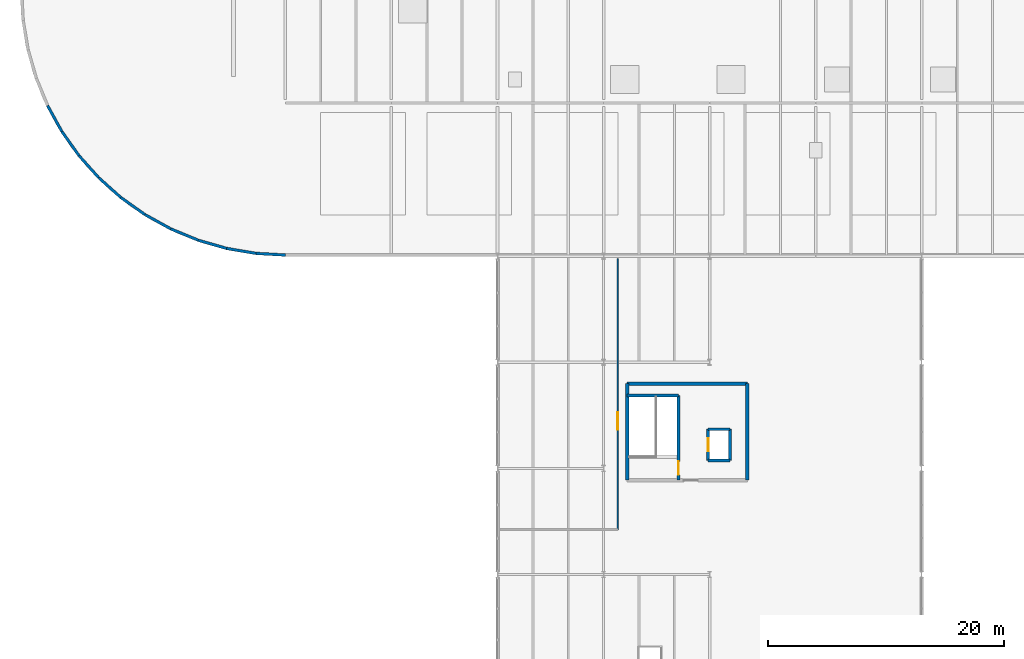
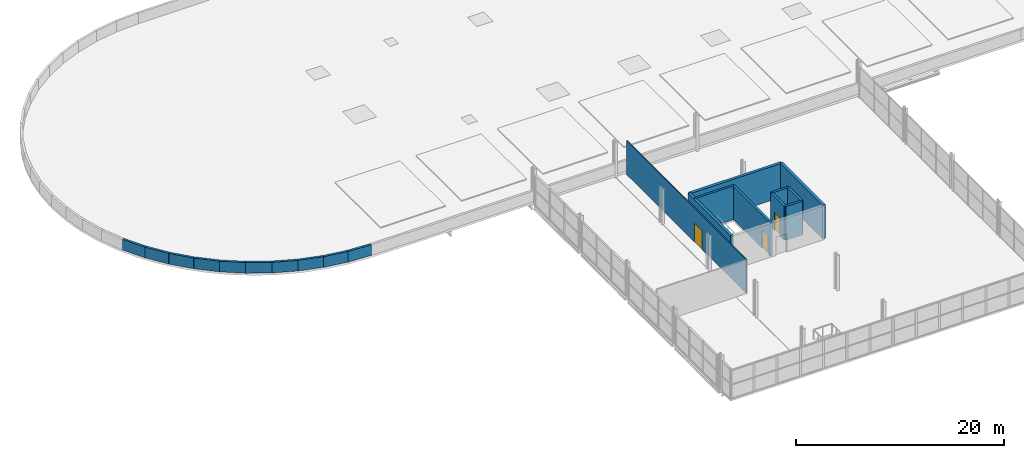
# One storey, part 54 of 59: 20 walls, 3 doors, 3 openings.
"""IFC4 building model written with IfcOpenShell, lengths in metres."""

from ifc_helpers import new_model, si_unit, direction, frame, frame_2d, origin, place, context, subcontext, project, spatial, rectangle, extrude, material, layer, layer_set, type_object, element, fill, save


model = new_model("IFC4")

# Units and contexts
model_context = context("Model", 3, precision=1e-05, world=origin(), true_north=direction((0.0, 1.0)))
body_context = subcontext(model_context, "Body", "Model", "MODEL_VIEW")
ifc_project = project(units=[si_unit("LENGTHUNIT", "METRE"), si_unit("AREAUNIT", "SQUARE_METRE"), si_unit("VOLUMEUNIT", "CUBIC_METRE"), si_unit("PLANEANGLEUNIT", "RADIAN"), si_unit("MASSUNIT", "GRAM", prefix="KILO")], contexts=[model_context])

# Site, building, storey
site_placement = place(None, origin())
site = spatial("IfcSite", under=ifc_project, at=site_placement, CompositionType="ELEMENT")
building_placement = place(site_placement, origin())
building = spatial("IfcBuilding", under=site, at=building_placement, Name="Deido Ridge Mobility Hub", CompositionType="ELEMENT")
storey_placement = place(building_placement, frame((0.0, 0.0, 21.0)))
storey = spatial("IfcBuildingStorey", under=building, at=storey_placement, Name="L05", CompositionType="ELEMENT", Elevation=21.0)

# Wall, opening, door
ifc_material_1 = material(Name="Treated tropical hardwood timber D40", Category="wood")
ifc_layer_1 = layer(ifc_material_1, 0.114990234375, Name="Treated tropical hardwood timber D40")
ifc_layer_set_1 = layer_set([ifc_layer_1], Name="Treated tropical hardwood timber D40")
wall_type_1 = type_object("IfcWallType", Name="WL-MOV-ACO-115", PredefinedType="MOVABLE", material=ifc_layer_set_1)
wall_1_placement = place(storey_placement, frame((73.199951171875, 57.800048828125, 0.0), z_axis=(0.0, 0.0, 1.0), x_axis=(0.0, 1.0, 0.0)))
wall_1 = element("IfcWall", 1, at=wall_1_placement, inside=storey, type_object=wall_type_1, Name="Fitness studio partition L05", PredefinedType="MOVABLE", context=body_context, shape_type="SweptSolid", body=[
    extrude(rectangle(XDim=23.0, YDim=0.114990234375, at=frame_2d((11.5, 0.0))), origin(), (0.0, 0.0, 1.0), 3.9599609375),
])
opening_1_placement = place(wall_1_placement, frame((8.5, 0.0, 0.0)))
opening_1 = element("IfcOpeningElement", 2, at=opening_1_placement, cuts=wall_1, Name="Opening DR-L05-219", PredefinedType="OPENING", context=body_context, shape_type="SweptSolid", body=[
    extrude(rectangle(XDim=1.449951171875, YDim=2.219970703125, at=frame_2d((0.72509765625, 1.10986328125))), frame((0.0, 0.0673828125, 0.0), z_axis=(0.0, -1.0, 0.0), x_axis=(1.0, 0.0, 0.0)), (0.0, 0.0, 1.0), 0.135009765625),
])
door_type_1 = type_object("IfcDoorType", Name="DR-INT-1450X2220", OperationType="DOUBLE_DOOR_SINGLE_SWING", PredefinedType="DOOR", material=ifc_material_1)
door_1_placement = place(opening_1_placement, origin())
door_1 = element("IfcDoor", 3, at=door_1_placement, inside=storey, type_object=door_type_1, Name="DR-I0219 Fitness studio double door", OperationType="DOUBLE_DOOR_SINGLE_SWING", OverallHeight=2.219970703125, OverallWidth=1.449951171875, PredefinedType="DOOR", context=body_context, shape_type="SweptSolid", body=[
    extrude(rectangle(XDim=1.449951171875, YDim=2.219970703125, at=frame_2d((0.72509765625, 1.10986328125))), frame((0.0, 0.02490234375, 0.0), z_axis=(0.0, -1.0, 0.0), x_axis=(1.0, 0.0, 0.0)), (0.0, 0.0, 1.0), 0.050048828125),
])
fill(opening_1, door_1)

# Walls
ifc_material_2 = material(Name="Fired clay brick masonry", Category="masonry")
ifc_layer_2 = layer(ifc_material_2, 0.235107421875, Name="Fired clay brick masonry")
ifc_layer_set_2 = layer_set([ifc_layer_2], Name="Fired clay brick masonry")
wall_type_2 = type_object("IfcWallType", Name="WL-PAR-BRK-235", PredefinedType="PARAPET", material=ifc_layer_set_2)
wall_2_placement = place(storey_placement, frame((24.820556640625, 93.781982421875, 0.2451171875), z_axis=(0.0, 0.0, 1.0), x_axis=(0.483693949982, -0.875237203706, 0.0)))
element("IfcWall", 4, at=wall_2_placement, inside=storey, type_object=wall_type_2, Name="Curved brickwork roof parapet PP1", PredefinedType="PARAPET", context=body_context, shape_type="SweptSolid", body=[
    extrude(rectangle(XDim=2.511474609375, YDim=0.235107421875, at=frame_2d((1.255859375, 0.0))), origin(), (0.0, 0.0, 1.0), 1.25),
])
for number, where, z_axis, x_axis, name in (
    (5, (26.035400390625, 91.583740234375, 0.2451171875), (0.0, 0.0, 1.0), (0.578734494193, -0.815516023896, 0.0), "Curved brickwork roof parapet PP1"),
    (6, (27.489013671875, 89.535400390625, 0.2451171875), (0.0, 0.0, 1.0), (0.666334433255, -0.74565301787, 0.0), "Curved brickwork roof parapet PP1"),
    (7, (29.16259765625, 87.66259765625, 0.2451171875), (0.0, 0.0, 1.0), (0.74565301787, -0.666334433255, 0.0), "Curved brickwork roof parapet PP1"),
    (8, (31.035400390625, 85.989013671875, 0.2451171875), (0.0, 0.0, 1.0), (0.815516023896, -0.578734494193, 0.0), "Curved brickwork roof parapet PP1"),
):
    element("IfcWall", number, at=place(storey_placement, frame(where, z_axis=z_axis, x_axis=x_axis)), inside=storey, type_object=wall_type_2, Name=name, PredefinedType="PARAPET", context=body_context, shape_type="SweptSolid", body=[
        extrude(rectangle(XDim=2.51171875, YDim=0.235107421875, at=frame_2d((1.255859375, 0.0))), origin(), (0.0, 0.0, 1.0), 1.25),
    ])
wall_3_placement = place(storey_placement, frame((33.083740234375, 84.535400390625, 0.2451171875), z_axis=(0.0, 0.0, 1.0), x_axis=(0.875237203706, -0.483693949982, 0.0)))
element("IfcWall", 9, at=wall_3_placement, inside=storey, type_object=wall_type_2, Name="Curved brickwork roof parapet PP1", PredefinedType="PARAPET", context=body_context, shape_type="SweptSolid", body=[
    extrude(rectangle(XDim=2.511474609375, YDim=0.235107421875, at=frame_2d((1.255859375, 0.0))), origin(), (0.0, 0.0, 1.0), 1.25),
])
for number, where, z_axis, x_axis, name in (
    (10, (35.281982421875, 83.320556640625, 0.2451171875), (0.0, 0.0, 1.0), (0.923882965921, -0.382675143275, 0.0), "Curved brickwork roof parapet PP1"),
    (11, (37.6025390625, 82.359375, 0.2451171875), (0.0, 0.0, 1.0), (0.960920102427, -0.276825859975, 0.0), "Curved brickwork roof parapet PP1"),
):
    element("IfcWall", number, at=place(storey_placement, frame(where, z_axis=z_axis, x_axis=x_axis)), inside=storey, type_object=wall_type_2, Name=name, PredefinedType="PARAPET", context=body_context, shape_type="SweptSolid", body=[
        extrude(rectangle(XDim=2.51171875, YDim=0.235107421875, at=frame_2d((1.255859375, 0.0))), origin(), (0.0, 0.0, 1.0), 1.25),
    ])
wall_4_placement = place(storey_placement, frame((40.01611328125, 81.6640625, 0.2451171875), z_axis=(0.0, 0.0, 1.0), x_axis=(0.985874150371, -0.167487789498, 0.0)))
element("IfcWall", 12, at=wall_4_placement, inside=storey, type_object=wall_type_2, Name="Curved brickwork roof parapet PP1", PredefinedType="PARAPET", context=body_context, shape_type="SweptSolid", body=[
    extrude(rectangle(XDim=2.511474609375, YDim=0.235107421875, at=frame_2d((1.255859375, 0.0))), origin(), (0.0, 0.0, 1.0), 1.25),
])
wall_5_placement = place(storey_placement, frame((42.4921875, 81.243408203125, 0.2451171875), z_axis=(0.0, 0.0, 1.0), x_axis=(0.998426070254, -0.056083707412, 0.0)))
element("IfcWall", 13, at=wall_5_placement, inside=storey, type_object=wall_type_2, Name="Curved brickwork roof parapet PP1", PredefinedType="PARAPET", context=body_context, shape_type="SweptSolid", body=[
    extrude(rectangle(XDim=2.51171875, YDim=0.235107421875, at=frame_2d((1.255859375, 0.0))), origin(), (0.0, 0.0, 1.0), 1.25),
])

# Wall, opening, door
ifc_material_3 = material(Name="Concrete C40/50", Category="concrete")
ifc_layer_3 = layer(ifc_material_3, 0.25, Name="Concrete C40/50")
ifc_layer_set_3 = layer_set([ifc_layer_3], Name="Concrete C40/50")
wall_type_3 = type_object("IfcWallType", Name="WL-SHR-RC-250", PredefinedType="SHEAR", material=ifc_layer_set_3)
wall_6_placement = place(storey_placement, frame((78.360107421875, 62.0, 0.0), z_axis=(0.0, 0.0, 1.0), x_axis=(0.0, 1.0, 0.0)))
wall_6 = element("IfcWall", 14, at=wall_6_placement, inside=storey, type_object=wall_type_3, Name="C4 stair shaft east wall", PredefinedType="SHEAR", context=body_context, shape_type="SweptSolid", body=[
    extrude(rectangle(XDim=7.199951171875, YDim=0.25, at=frame_2d((3.60009765625, 0.0))), origin(), (0.0, 0.0, 1.0), 3.9599609375),
])
opening_2_placement = place(wall_6_placement, frame((0.449951171875, 0.0, 0.0)))
opening_2 = element("IfcOpeningElement", 15, at=opening_2_placement, cuts=wall_6, Name="Opening FD-C4-L05", PredefinedType="OPENING", context=body_context, shape_type="SweptSolid", body=[
    extrude(rectangle(XDim=1.14990234375, YDim=2.14990234375, at=frame_2d((0.574951171875, 1.074951171875))), frame((0.0, 0.135009765625, 0.0), z_axis=(0.0, -1.0, 0.0), x_axis=(1.0, 0.0, 0.0)), (0.0, 0.0, 1.0), 0.27001953125),
])
ifc_material_4 = material(Name="Galvanised steel work", Category="steel")
door_type_2 = type_object("IfcDoorType", Name="DR-FD60-1150X2150", OperationType="NOTDEFINED", PredefinedType="DOOR", material=ifc_material_4)
door_2_placement = place(opening_2_placement, origin())
door_2 = element("IfcDoor", 16, at=door_2_placement, inside=storey, type_object=door_type_2, Name="DR-I0097 C4 protected stair door (L05)", OperationType="SINGLE_SWING_LEFT", OverallHeight=2.14990234375, OverallWidth=1.14990234375, PredefinedType="DOOR", context=body_context, shape_type="SweptSolid", body=[
    extrude(rectangle(XDim=1.14990234375, YDim=2.14990234375, at=frame_2d((0.574951171875, 1.074951171875))), frame((0.0, 0.02490234375, 0.0), z_axis=(0.0, -1.0, 0.0), x_axis=(1.0, 0.0, 0.0)), (0.0, 0.0, 1.0), 0.050048828125),
])
fill(opening_2, door_2)

# Walls
wall_7_placement = place(storey_placement, frame((74.0, 69.199951171875, 0.0), z_axis=(0.0, 0.0, 1.0), x_axis=(1.0, 0.0, 0.0)))
element("IfcWall", 17, at=wall_7_placement, inside=storey, type_object=wall_type_3, Name="C4 stair shaft north wall", PredefinedType="SHEAR", context=body_context, shape_type="SweptSolid", body=[
    extrude(rectangle(XDim=4.360107421875, YDim=0.25, at=frame_2d((2.18017578125, 0.0))), origin(), (0.0, 0.0, 1.0), 3.9599609375),
])
for number, where, z_axis, x_axis, name in (
    (18, (80.875, 63.675048828125, 0.0), (0.0, 0.0, 1.0), (1.0, 0.0, 0.0), "Lift PL2 south shaft wall"),
    (19, (80.875, 66.324951171875, 0.0), (0.0, 0.0, 1.0), (1.0, 0.0, 0.0), "Lift PL2 north shaft wall"),
):
    element("IfcWall", number, at=place(storey_placement, frame(where, z_axis=z_axis, x_axis=x_axis)), inside=storey, type_object=wall_type_3, Name=name, PredefinedType="SHEAR", context=body_context, shape_type="SweptSolid", body=[
        extrude(rectangle(XDim=1.85009765625, YDim=0.25, at=frame_2d((0.925048828125, 0.0))), origin(), (0.0, 0.0, 1.0), 3.9599609375),
    ])
wall_8_placement = place(storey_placement, frame((82.72509765625, 63.675048828125, 0.0), z_axis=(0.0, 0.0, 1.0), x_axis=(0.0, 1.0, 0.0)))
element("IfcWall", 20, at=wall_8_placement, inside=storey, type_object=wall_type_3, Name="Lift PL2 rear shaft wall", PredefinedType="SHEAR", context=body_context, shape_type="SweptSolid", body=[
    extrude(rectangle(XDim=2.64990234375, YDim=0.25, at=frame_2d((1.324951171875, 0.0))), origin(), (0.0, 0.0, 1.0), 3.9599609375),
])

# Wall, opening, door
wall_9_placement = place(storey_placement, frame((80.875, 63.675048828125, 0.0), z_axis=(0.0, 0.0, 1.0), x_axis=(0.0, 1.0, 0.0)))
wall_9 = element("IfcWall", 21, at=wall_9_placement, inside=storey, type_object=wall_type_3, Name="Lift PL2 landing wall", PredefinedType="SHEAR", context=body_context, shape_type="SweptSolid", body=[
    extrude(rectangle(XDim=2.64990234375, YDim=0.25, at=frame_2d((1.324951171875, 0.0))), origin(), (0.0, 0.0, 1.0), 3.9599609375),
])
opening_3_placement = place(wall_9_placement, frame((0.77490234375, 0.0, 0.0)))
opening_3 = element("IfcOpeningElement", 22, at=opening_3_placement, cuts=wall_9, Name="Opening LD-PL2", PredefinedType="OPENING", context=body_context, shape_type="SweptSolid", body=[
    extrude(rectangle(XDim=1.10009765625, YDim=2.14990234375, at=frame_2d((0.550048828125, 1.074951171875))), frame((0.0, 0.135009765625, 0.0), z_axis=(0.0, -1.0, 0.0), x_axis=(1.0, 0.0, 0.0)), (0.0, 0.0, 1.0), 0.27001953125),
])
ifc_material_5 = material(Name="Stainless steel 316", Category="steel")
door_type_3 = type_object("IfcDoorType", Name="DR-LND-PAS-1100X2150", OperationType="DOUBLE_DOOR_SLIDING", PredefinedType="USERDEFINED", material=ifc_material_5)
door_3_placement = place(opening_3_placement, origin())
door_3 = element("IfcDoor", 23, at=door_3_placement, inside=storey, type_object=door_type_3, Name="DR-I0099 Lift PL2 sliding landing door (L05)", ObjectType="LANDING DOOR", OperationType="DOUBLE_DOOR_SLIDING", OverallHeight=2.14990234375, OverallWidth=1.10009765625, PredefinedType="USERDEFINED", context=body_context, shape_type="SweptSolid", body=[
    extrude(rectangle(XDim=1.10009765625, YDim=2.14990234375, at=frame_2d((0.550048828125, 1.074951171875))), frame((0.0, 0.02490234375, 0.0), z_axis=(0.0, -1.0, 0.0), x_axis=(1.0, 0.0, 0.0)), (0.0, 0.0, 1.0), 0.050048828125),
])
fill(opening_3, door_3)

# Walls
ifc_layer_4 = layer(ifc_material_3, 0.300048828125, Name="Concrete C40/50")
ifc_layer_set_4 = layer_set([ifc_layer_4], Name="Concrete C40/50")
wall_type_4 = type_object("IfcWallType", Name="WL-SHR-RC-300", PredefinedType="SHEAR", material=ifc_layer_set_4)
wall_10_placement = place(storey_placement, frame((84.199951171875, 62.0, 0.0), z_axis=(0.0, 0.0, 1.0), x_axis=(0.0, 1.0, 0.0)))
element("IfcWall", 24, at=wall_10_placement, inside=storey, type_object=wall_type_4, Name="C4 east shear wall", PredefinedType="SHEAR", context=body_context, shape_type="SweptSolid", body=[
    extrude(rectangle(XDim=8.199951171875, YDim=0.300048828125, at=frame_2d((4.10009765625, 0.0))), origin(), (0.0, 0.0, 1.0), 3.9599609375),
])
wall_11_placement = place(storey_placement, frame((84.199951171875, 70.199951171875, 0.0), z_axis=(0.0, 0.0, 1.0), x_axis=(-1.0, 0.0, 0.0)))
element("IfcWall", 25, at=wall_11_placement, inside=storey, type_object=wall_type_4, Name="C4 north shear wall", PredefinedType="SHEAR", context=body_context, shape_type="SweptSolid", body=[
    extrude(rectangle(XDim=10.199951171875, YDim=0.300048828125, at=frame_2d((5.10009765625, 0.0))), origin(), (0.0, 0.0, 1.0), 3.9599609375),
])
wall_12_placement = place(storey_placement, frame((74.0, 70.199951171875, 0.0), z_axis=(0.0, 0.0, 1.0), x_axis=(0.0, -1.0, 0.0)))
element("IfcWall", 26, at=wall_12_placement, inside=storey, type_object=wall_type_4, Name="C4 west shear wall", PredefinedType="SHEAR", context=body_context, shape_type="SweptSolid", body=[
    extrude(rectangle(XDim=8.199951171875, YDim=0.300048828125, at=frame_2d((4.10009765625, 0.0))), origin(), (0.0, 0.0, 1.0), 3.9599609375),
])

save(model, "model.ifc")
